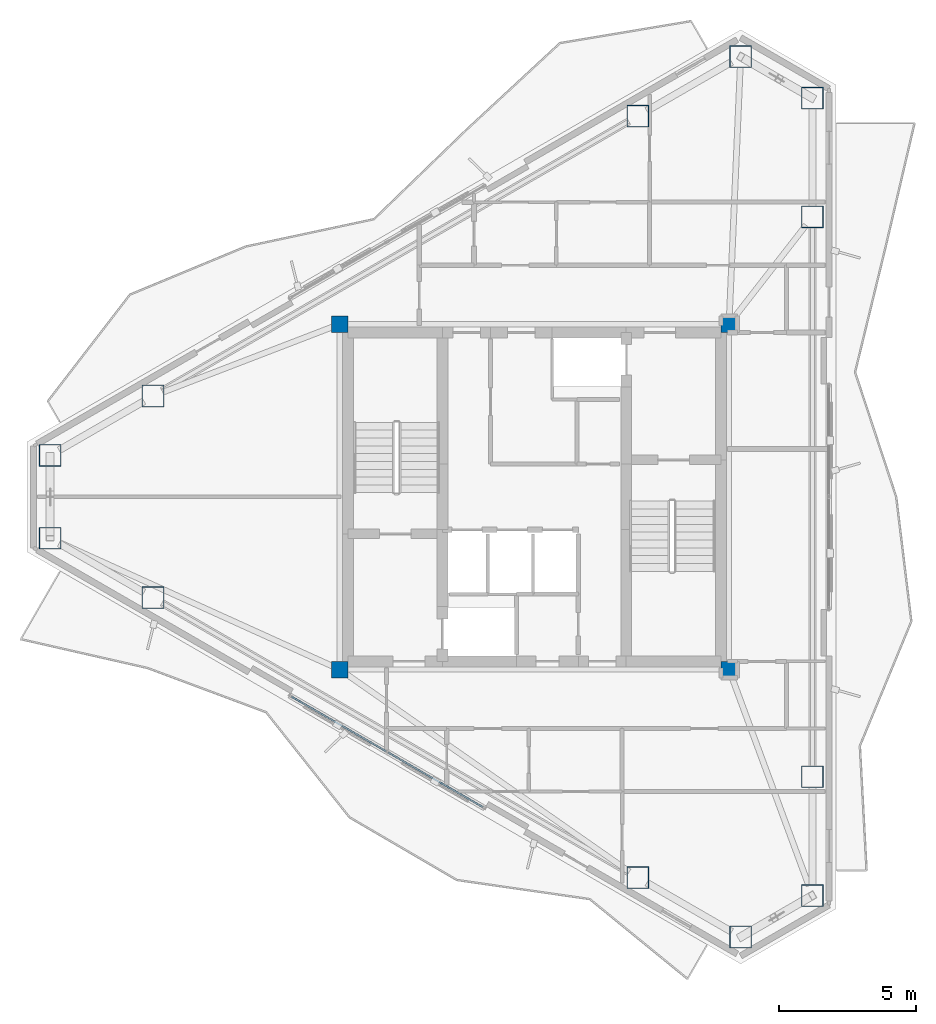
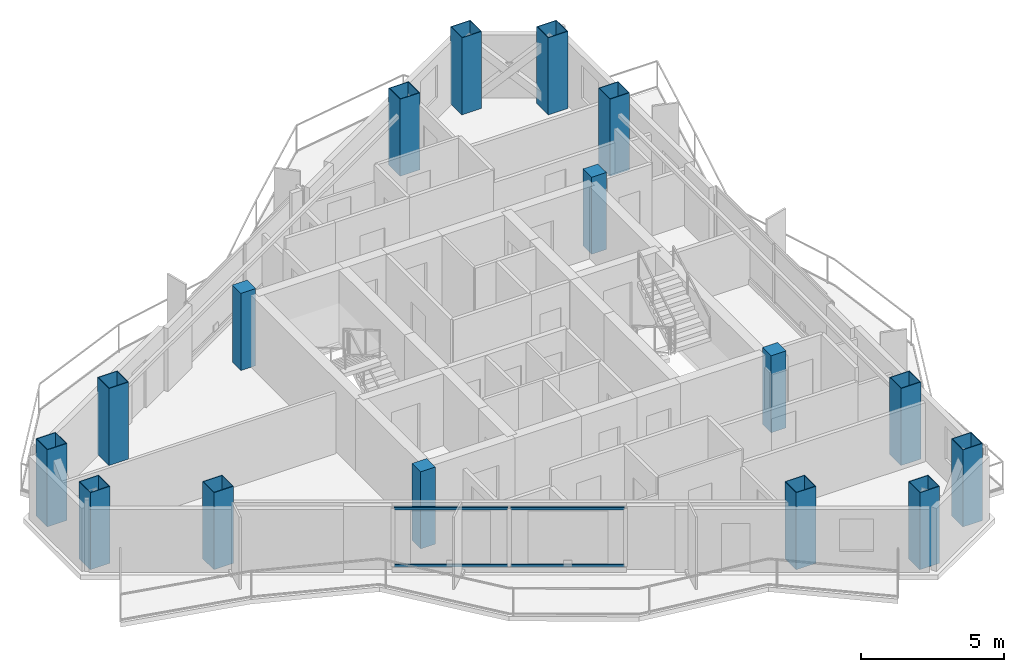
# One storey, part 1 of 18: 16 columns, 4 members, 1 element without a shape of its own.
"""IFC4 building model written with IfcOpenShell, lengths in metres."""

from ifc_helpers import new_model, si_unit, direction, frame, origin, origin_2d, place, context, subcontext, project, spatial, rectangle, hollow_rectangle, extrude, material, layer, layer_set, material_profile, profile_set, type_object, element, aggregate, save


model = new_model("IFC4")

# Units and contexts
model_context = context("Model", 3, precision=1e-05, world=origin(), true_north=direction((0.0, 1.0)))
body_context = subcontext(model_context, "Body", "Model", "MODEL_VIEW")
ifc_project = project(units=[si_unit("LENGTHUNIT", "METRE"), si_unit("AREAUNIT", "SQUARE_METRE"), si_unit("VOLUMEUNIT", "CUBIC_METRE"), si_unit("PLANEANGLEUNIT", "RADIAN"), si_unit("MASSUNIT", "GRAM", prefix="KILO")], contexts=[model_context])

# Site, building, storey
site_placement = place(None, origin())
site = spatial("IfcSite", under=ifc_project, at=site_placement, CompositionType="ELEMENT")
building_placement = place(site_placement, origin())
building = spatial("IfcBuilding", under=site, at=building_placement, Name="Mersakhor Tower and Convention Hall", CompositionType="ELEMENT")
storey_placement = place(building_placement, frame((0.0, 0.0, 226.5)))
storey = spatial("IfcBuildingStorey", under=building, at=storey_placement, Name="L63", CompositionType="ELEMENT", Elevation=226.5)

# Columns
ifc_material_1 = material(Name="Concrete C50/60 in S460M steel box", Category="concrete")
ifc_material_profile_1 = material_profile(ifc_material_1, hollow_rectangle(XDim=0.800048828125, YDim=0.800048828125, WallThickness=0.02490234375, at=origin_2d()), Name="SHS 800x800x25")
ifc_profile_set_1 = profile_set([ifc_material_profile_1], Name="Concrete C50/60 in S460M steel box")
column_type_1 = type_object("IfcColumnType", Name="COL-CFT-800", PredefinedType="COLUMN", material=ifc_profile_set_1)
for number, where, z_axis, x_axis, name in (
    (1, (11.33203125, 28.26123046875, 0.0), (0.0, 0.0, 1.0), (1.0, 0.0, 0.0), "L63 Perimeter Mega-Column MC-01"),
    (2, (15.085693359375, 30.428466796875, 0.0), (0.0, 0.0, 1.0), (1.0, 0.0, 0.0), "L63 Perimeter Mega-Column MC-02"),
    (3, (32.771484375, 40.639404296875, 0.0), (0.0, 0.0, 1.0), (1.0, 0.0, 0.0), "L63 Perimeter Mega-Column MC-03"),
    (4, (36.525146484375, 42.806640625, 0.0), (0.0, 0.0, 1.0), (1.0, 0.0, 0.0), "L63 Perimeter Mega-Column MC-04"),
    (5, (39.142822265625, 41.29541015625, 0.0), (0.0, 0.0, 1.0), (1.0, 0.0, 0.0), "L63 Perimeter Mega-Column MC-05"),
    (6, (39.142822265625, 36.960693359375, 0.0), (0.0, 0.0, 1.0), (1.0, 0.0, 0.0), "L63 Perimeter Mega-Column MC-06"),
    (7, (39.142822265625, 16.539306640625, 0.0), (0.0, 0.0, 1.0), (1.0, 0.0, 0.0), "L63 Perimeter Mega-Column MC-07"),
    (8, (39.142822265625, 12.20458984375, 0.0), (0.0, 0.0, 1.0), (1.0, 0.0, 0.0), "L63 Perimeter Mega-Column MC-08"),
    (9, (36.525146484375, 10.693359375, 0.0), (0.0, 0.0, 1.0), (1.0, 0.0, 0.0), "L63 Perimeter Mega-Column MC-09"),
    (10, (32.771484375, 12.860595703125, 0.0), (0.0, 0.0, 1.0), (1.0, 0.0, 0.0), "L63 Perimeter Mega-Column MC-10"),
    (11, (15.085693359375, 23.071533203125, 0.0), (0.0, 0.0, 1.0), (1.0, 0.0, 0.0), "L63 Perimeter Mega-Column MC-11"),
    (12, (11.33203125, 25.23876953125, 0.0), (0.0, 0.0, 1.0), (1.0, 0.0, 0.0), "L63 Perimeter Mega-Column MC-12"),
):
    element("IfcColumn", number, at=place(storey_placement, frame(where, z_axis=z_axis, x_axis=x_axis)), inside=storey, type_object=column_type_1, Name=name, PredefinedType="COLUMN", context=body_context, shape_type="SweptSolid", body=[
        extrude(hollow_rectangle(XDim=0.800048828125, YDim=0.800048828125, WallThickness=0.02490234375, at=origin_2d()), origin(), (0.0, 0.0, 1.0), 3.300048828125),
    ])
ifc_material_2 = material(Name="Concrete C50/60", Category="concrete")
ifc_material_profile_2 = material_profile(ifc_material_2, rectangle(XDim=0.60009765625, YDim=0.60009765625, at=origin_2d()), Name="RC 600x600")
ifc_profile_set_2 = profile_set([ifc_material_profile_2], Name="Concrete C50/60")
column_type_2 = type_object("IfcColumnType", Name="COL-RC-600", PredefinedType="COLUMN", material=ifc_profile_set_2)
for number, where, z_axis, x_axis, name in (
    (13, (21.89990234375, 20.449951171875, 0.0), (0.0, 0.0, 1.0), (1.0, 0.0, 0.0), "L63 Core Corner Column CC-1"),
    (14, (21.89990234375, 33.050048828125, 0.0), (0.0, 0.0, 1.0), (1.0, 0.0, 0.0), "L63 Core Corner Column CC-2"),
    (15, (36.10009765625, 33.050048828125, 0.0), (0.0, 0.0, 1.0), (1.0, 0.0, 0.0), "L63 Core Corner Column CC-3"),
    (16, (36.10009765625, 20.449951171875, 0.0), (0.0, 0.0, 1.0), (1.0, 0.0, 0.0), "L63 Core Corner Column CC-4"),
):
    element("IfcColumn", number, at=place(storey_placement, frame(where, z_axis=z_axis, x_axis=x_axis)), inside=storey, type_object=column_type_2, Name=name, PredefinedType="COLUMN", context=body_context, shape_type="SweptSolid", body=[
        extrude(rectangle(XDim=0.60009765625, YDim=0.60009765625, at=origin_2d()), origin(), (0.0, 0.0, 1.0), 3.300048828125),
    ])

# Curtain wall, members
ifc_material_3 = material(Name="Dark solar low-E aluminium curtain wall", Category="aluminium")
ifc_layer = layer(ifc_material_3, 0.179931640625)
ifc_layer_set = layer_set([ifc_layer], Name="Dark solar low-E aluminium curtain wall")
curtain_wall_type = type_object("IfcCurtainWallType", Name="CW-SYS-03", PredefinedType="USERDEFINED", material=ifc_layer_set)
curtain_wall_placement = place(storey_placement, origin())
curtain_wall = element("IfcCurtainWall", 17, at=curtain_wall_placement, inside=storey, type_object=curtain_wall_type, Name="L63 Dark-Glass Curtain Wall F3-B2", ObjectType="CURTAIN WALL", PredefinedType="USERDEFINED")
ifc_material_4 = material(Name="Anodised aluminium EN AW-6063 T6", Category="aluminium")
ifc_material_profile_3 = material_profile(ifc_material_4, hollow_rectangle(XDim=0.06005859375, YDim=0.1201171875, WallThickness=0.0048828125, at=origin_2d()), Name="RHS 120x60x5")
ifc_profile_set_3 = profile_set([ifc_material_profile_3], Name="Anodised aluminium EN AW-6063 T6")
member_type = type_object("IfcMemberType", Name="CWT-120x60", PredefinedType="USERDEFINED", material=ifc_profile_set_3)
member_1_placement = place(storey_placement, frame((27.12646484375, 15.427001953125, 0.22998046875), z_axis=(-0.866023018642, 0.500004131166, 0.0), x_axis=(-0.500004131166, -0.866023018642, 0.0)))
member_1 = element("IfcMember", 18, at=member_1_placement, type_object=member_type, Name="CW-03 transom 1.1", ObjectType="TRANSOM", PredefinedType="USERDEFINED", context=body_context, shape_type="SweptSolid", body=[
    extrude(hollow_rectangle(XDim=0.06005859375, YDim=0.1201171875, WallThickness=0.0048828125, at=origin_2d()), origin(), (0.0, 0.0, 1.0), 4.00146484375),
])
member_2_placement = place(storey_placement, frame((27.12646484375, 15.427001953125, 2.669921875), z_axis=(-0.866023018642, 0.500004131166, 0.0), x_axis=(-0.500004131166, -0.866023018642, 0.0)))
member_2 = element("IfcMember", 19, at=member_2_placement, type_object=member_type, Name="CW-03 transom 1.2", ObjectType="TRANSOM", PredefinedType="USERDEFINED", context=body_context, shape_type="SweptSolid", body=[
    extrude(hollow_rectangle(XDim=0.06005859375, YDim=0.1201171875, WallThickness=0.0048828125, at=origin_2d()), origin(), (0.0, 0.0, 1.0), 4.00146484375),
])
member_3_placement = place(storey_placement, frame((23.59619140625, 17.465087890625, 0.22998046875), z_axis=(-0.866023018642, 0.500004131166, 0.0), x_axis=(-0.500004131166, -0.866023018642, 0.0)))
member_3 = element("IfcMember", 20, at=member_3_placement, type_object=member_type, Name="CW-03 transom 2.1", ObjectType="TRANSOM", PredefinedType="USERDEFINED", context=body_context, shape_type="SweptSolid", body=[
    extrude(hollow_rectangle(XDim=0.06005859375, YDim=0.1201171875, WallThickness=0.0048828125, at=origin_2d()), origin(), (0.0, 0.0, 1.0), 4.00146484375),
])
member_4_placement = place(storey_placement, frame((23.59619140625, 17.465087890625, 2.669921875), z_axis=(-0.866023018642, 0.500004131166, 0.0), x_axis=(-0.500004131166, -0.866023018642, 0.0)))
member_4 = element("IfcMember", 21, at=member_4_placement, type_object=member_type, Name="CW-03 transom 2.2", ObjectType="TRANSOM", PredefinedType="USERDEFINED", context=body_context, shape_type="SweptSolid", body=[
    extrude(hollow_rectangle(XDim=0.06005859375, YDim=0.1201171875, WallThickness=0.0048828125, at=origin_2d()), origin(), (0.0, 0.0, 1.0), 4.00146484375),
])
aggregate(curtain_wall, [member_1, member_2, member_3, member_4])

save(model, "model.ifc")
